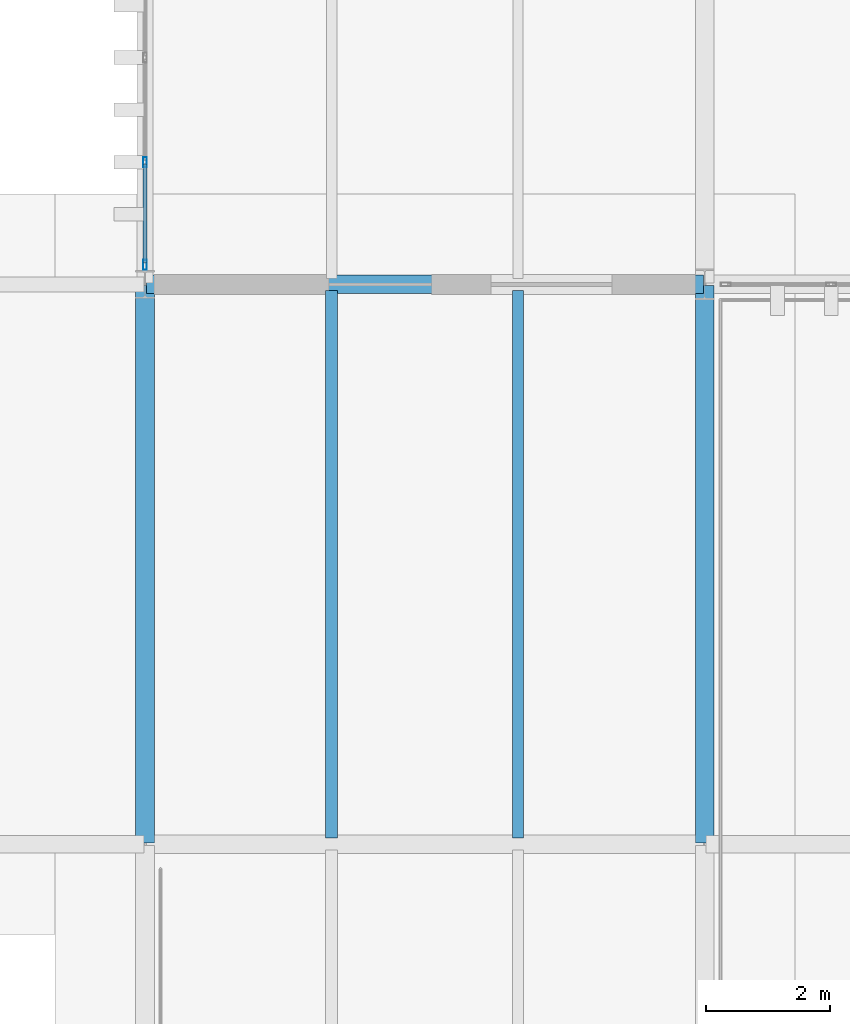
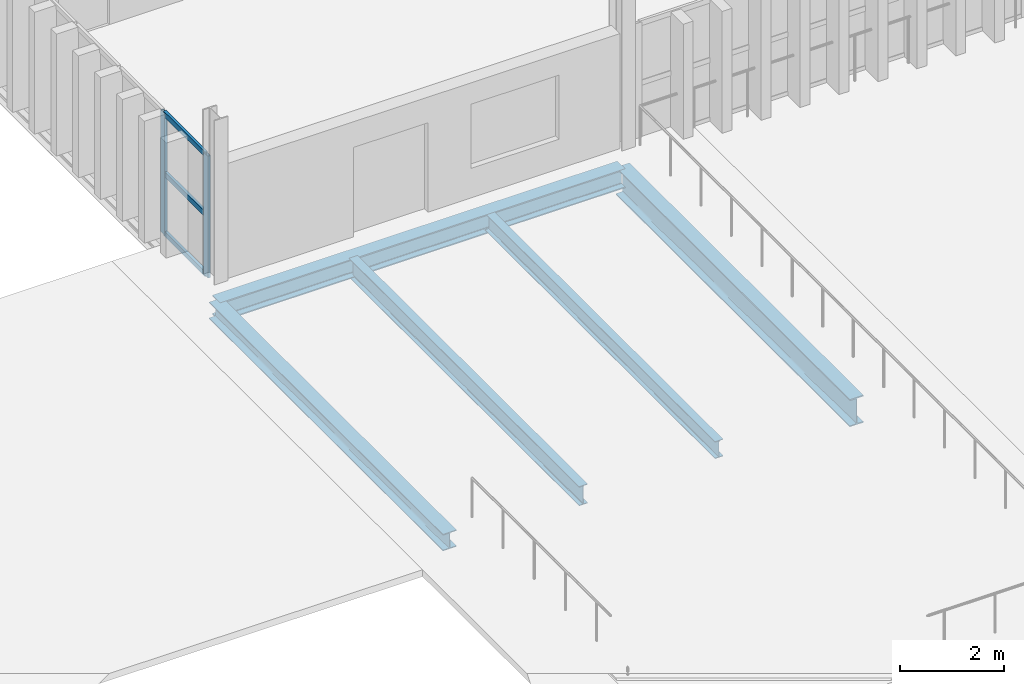
# One storey, part 35 of 102: 5 beams, 5 members, 1 element without a shape of its own.
"""IFC4 building model written with IfcOpenShell, lengths in metres."""

import ifcopenshell
import ifcopenshell.guid

model = None  # the IFC model being written
_history = None  # IfcOwnerHistory: only IFC2X3 demands one
_inside = {}  # id of a spatial element -> (the spatial element, [elements in it])
_under = {}  # id of a project, library or spatial element -> (it, [spatial elements below it])
_declared = {}  # id of a project -> (the project, [libraries it declares])
_typed = {}  # id of a type object -> (the type object, [elements of that type])
_made_of = {}  # id of a material, layer set ... -> (it, [elements and type objects made of it])


def new_model(schema):
    """Start an empty IFC model of exactly this schema.

    Asked for "IFC4X3", IfcOpenShell would pick the latest addendum, in which some entities
    have other attributes; the version numbers below select the first issue.
    IFC2X3 requires an IfcOwnerHistory on every rooted entity: one is made here for all.
    """
    global model, _history
    if schema == "IFC4X3":
        model = ifcopenshell.file(schema_version=(4, 3, 0, 0))
    else:
        model = ifcopenshell.file(schema=schema)
    _inside.clear()
    _under.clear()
    _declared.clear()
    _typed.clear()
    _made_of.clear()
    _history = None
    if model.schema == "IFC2X3":
        org = make("IfcOrganization", Name="unknown")
        user = make(
            "IfcPersonAndOrganization",
            ThePerson=make("IfcPerson", FamilyName="unknown"),
            TheOrganization=org,
        )
        app = make(
            "IfcApplication",
            ApplicationDeveloper=org,
            Version="unknown",
            ApplicationFullName="unknown",
            ApplicationIdentifier="unknown",
        )
        _history = make(
            "IfcOwnerHistory",
            OwningUser=user,
            OwningApplication=app,
            ChangeAction="ADDED",
            CreationDate=0,
        )
    return model


def make(cls, **values):
    """One entity of the class cls with the attributes given. An attribute that is None is left unset."""
    return model.create_entity(
        cls, **{name: value for name, value in values.items() if value is not None}
    )


def rooted(cls, **values):
    """An entity with a GlobalId (a new one), such as an element, a storey or a relation."""
    return make(cls, GlobalId=ifcopenshell.guid.new(), OwnerHistory=_history, **values)


def si_unit(unit_type, name, prefix=None):
    """IfcSIUnit, for example si_unit("LENGTHUNIT", "METRE", prefix="MILLI")."""
    return make("IfcSIUnit", UnitType=unit_type, Prefix=prefix, Name=name)


def assignment(units):
    """IfcUnitAssignment: the units of a project."""
    return None if units is None else make("IfcUnitAssignment", Units=units)


def point(xyz):
    """IfcCartesianPoint."""
    return None if xyz is None else make("IfcCartesianPoint", Coordinates=xyz)


def direction(xyz):
    """IfcDirection."""
    return None if xyz is None else make("IfcDirection", DirectionRatios=xyz)


def frame(location, z_axis=None, x_axis=None):
    """IfcAxis2Placement3D, a coordinate frame: its origin and axes. An axis left out is left unset."""
    return make(
        "IfcAxis2Placement3D",
        Location=point(location),
        Axis=direction(z_axis),
        RefDirection=direction(x_axis),
    )


def frame_2d(location, x_axis=None):
    """IfcAxis2Placement2D, a coordinate frame in the plane: its origin and x axis."""
    return make(
        "IfcAxis2Placement2D", Location=point(location), RefDirection=direction(x_axis)
    )


def origin():
    """The frame at (0, 0, 0) with its axes left unset."""
    return frame((0.0, 0.0, 0.0))


def origin_2d():
    """The frame at (0, 0) in the plane with its x axis left unset."""
    return frame_2d((0.0, 0.0))


def place(relative_to, where):
    """IfcLocalPlacement: puts the frame where relative to a parent placement (None: the world)."""
    return make(
        "IfcLocalPlacement", PlacementRelTo=relative_to, RelativePlacement=where
    )


def context(
    kind, dimensions, precision=None, world=None, true_north=None, identifier=None
):
    """IfcGeometricRepresentationContext, for example the 3D "Model" context."""
    return make(
        "IfcGeometricRepresentationContext",
        ContextIdentifier=identifier,
        ContextType=kind,
        CoordinateSpaceDimension=dimensions,
        Precision=precision,
        WorldCoordinateSystem=world,
        TrueNorth=true_north,
    )


def subcontext(parent, identifier, kind, view, scale=None):
    """IfcGeometricRepresentationSubContext, for example "Body" below "Model"."""
    return make(
        "IfcGeometricRepresentationSubContext",
        ContextIdentifier=identifier,
        ContextType=kind,
        ParentContext=parent,
        TargetScale=scale,
        TargetView=view,
    )


def project(units=None, contexts=None):
    """IfcProject with its units and contexts."""
    return rooted(
        "IfcProject",
        Name="project",
        RepresentationContexts=contexts,
        UnitsInContext=assignment(units),
    )


def spatial(cls, under=None, at=None, **own):
    """A site, building, storey or space (cls), placed at a placement, below another one or the project."""
    s = rooted(cls, ObjectPlacement=at, **own)
    if under is not None:
        _under.setdefault(under.id(), (under, []))[1].append(s)
    return s


def profile(cls, at=None, kind="AREA", **sizes):
    """A parametric profile (cls). Its sizes go by their IFC names, for example OverallWidth=200.0."""
    return make(cls, ProfileType=kind, Position=at, **sizes)


def hollow_rectangle(**sizes):
    """IfcRectangleHollowProfileDef."""
    return profile("IfcRectangleHollowProfileDef", **sizes)


def i_section(**sizes):
    """IfcIShapeProfileDef."""
    return profile("IfcIShapeProfileDef", **sizes)


def extrude(swept, where, along, depth):
    """IfcExtrudedAreaSolid: the profile swept, set in the frame where, extruded along a direction by depth."""
    return make(
        "IfcExtrudedAreaSolid",
        SweptArea=swept,
        Position=where,
        ExtrudedDirection=direction(along),
        Depth=depth,
    )


def shape(context_of_items, identifier, shape_type, items):
    """IfcShapeRepresentation: the items that make up one representation, for example the "Body"."""
    return make(
        "IfcShapeRepresentation",
        ContextOfItems=context_of_items,
        RepresentationIdentifier=identifier,
        RepresentationType=shape_type,
        Items=items,
    )


def material(Name=None, Category=None):
    """IfcMaterial."""
    return make("IfcMaterial", Name=Name, Category=Category)


def layer(
    of_material, thickness, ventilated=None, Name=None, Category=None, Priority=None
):
    """IfcMaterialLayer: one layer of a wall or slab, of a material (None: an air gap)."""
    return make(
        "IfcMaterialLayer",
        Material=of_material,
        LayerThickness=thickness,
        IsVentilated=ventilated,
        Name=Name,
        Category=Category,
        Priority=Priority,
    )


def layer_set(layers, Name=None):
    """IfcMaterialLayerSet."""
    return make("IfcMaterialLayerSet", MaterialLayers=layers, LayerSetName=Name)


def material_profile(
    of_material, cross_section, Name=None, Category=None, Priority=None
):
    """IfcMaterialProfile: a cross section and its material."""
    return make(
        "IfcMaterialProfile",
        Name=Name,
        Material=of_material,
        Profile=cross_section,
        Priority=Priority,
        Category=Category,
    )


def profile_set(profiles, Name=None, composite=None):
    """IfcMaterialProfileSet."""
    return make(
        "IfcMaterialProfileSet",
        Name=Name,
        MaterialProfiles=profiles,
        CompositeProfile=composite,
    )


def made_of(thing, what):
    """Note that an element or type object is made of a material, layer set ...; save() writes the relation."""
    if what is not None:
        _made_of.setdefault(what.id(), (what, []))[1].append(thing)
    return thing


def type_object(cls, material=None, **own):
    """A type object (cls), such as IfcWallType, which elements share."""
    return made_of(rooted(cls, **own), material)


def element(
    cls,
    number,
    at=None,
    inside=None,
    cuts=None,
    type_object=None,
    material=None,
    context=None,
    identifier="Body",
    shape_type=None,
    held_by="IfcProductDefinitionShape",
    body=None,
    shapes=None,
    **own,
):
    """One element of the class cls, such as IfcWall. Its Tag is "e" and its number.

    at: its placement. inside: the storey or other place that contains it. cuts: it is an
    opening in that element (IfcRelVoidsElement). A single representation is given by context,
    identifier, shape_type and body (its items); several are given by shapes. held_by: the class
    of the entity that holds the representations. save() writes the other relations.
    """
    e = rooted(cls, Tag="e%d" % number, ObjectPlacement=at, **own)
    if body is not None:
        shapes = [shape(context, identifier, shape_type, body)]
    if shapes is not None:
        e.Representation = make(held_by, Representations=shapes)
    if inside is not None:
        _inside.setdefault(inside.id(), (inside, []))[1].append(e)
    if cuts is not None:
        rooted(
            "IfcRelVoidsElement", RelatingBuildingElement=cuts, RelatedOpeningElement=e
        )
    if type_object is not None:
        _typed.setdefault(type_object.id(), (type_object, []))[1].append(e)
    return made_of(e, material)


def aggregate(whole, parts):
    """IfcRelAggregates: a whole, such as a stair, and the parts it consists of."""
    return rooted("IfcRelAggregates", RelatingObject=whole, RelatedObjects=parts)


def save(model, path):
    """Write the relations noted so far, then the file.

    IfcRelAggregates (storeys below a building ...), IfcRelContainedInSpatialStructure (elements
    in a storey), IfcRelDefinesByType, IfcRelAssociatesMaterial and IfcRelDeclares: one each for
    every whole, place, type object, material and project.
    """
    for whole, parts in _under.values():
        aggregate(whole, parts)
    for where, things in _inside.values():
        rooted(
            "IfcRelContainedInSpatialStructure",
            RelatedElements=things,
            RelatingStructure=where,
        )
    for kind, things in _typed.values():
        rooted("IfcRelDefinesByType", RelatedObjects=things, RelatingType=kind)
    for what, things in _made_of.values():
        rooted("IfcRelAssociatesMaterial", RelatedObjects=things, RelatingMaterial=what)
    for by, libraries in _declared.values():
        rooted("IfcRelDeclares", RelatingContext=by, RelatedDefinitions=libraries)
    model.write(path)


model = new_model("IFC4")

# Units and contexts
model_context = context("Model", 3, precision=1e-05, world=origin(), true_north=direction((0.0, 1.0)))
body_context = subcontext(model_context, "Body", "Model", "MODEL_VIEW")
ifc_project = project(units=[si_unit("LENGTHUNIT", "METRE"), si_unit("AREAUNIT", "SQUARE_METRE"), si_unit("VOLUMEUNIT", "CUBIC_METRE"), si_unit("PLANEANGLEUNIT", "RADIAN"), si_unit("MASSUNIT", "GRAM", prefix="KILO")], contexts=[model_context])

# Site, building, storey
site_placement = place(None, origin())
site = spatial("IfcSite", under=ifc_project, at=site_placement, CompositionType="ELEMENT")
building_placement = place(site_placement, origin())
building = spatial("IfcBuilding", under=site, at=building_placement, Name="Barlavento Convention Centre", CompositionType="ELEMENT")
storey_placement = place(building_placement, frame((0.0, 0.0, 22.800048828125)))
storey = spatial("IfcBuildingStorey", under=building, at=storey_placement, Name="L04", CompositionType="ELEMENT", Elevation=22.800048828125)

# Curtain wall, members
ifc_material_1 = material(Name="Powder-coated aluminium and Low-E glass", Category="aluminium")
ifc_layer = layer(ifc_material_1, 0.18505859375)
ifc_layer_set = layer_set([ifc_layer], Name="ARC-CW-CONF-L04")
curtain_wall_type = type_object("IfcCurtainWallType", Name="ARC-CW-CONF-L04", PredefinedType="NOTDEFINED", material=ifc_layer_set)
curtain_wall_placement = place(storey_placement, origin())
curtain_wall = element("IfcCurtainWall", 1, at=curtain_wall_placement, inside=storey, type_object=curtain_wall_type, Name="L04 unitised curtain wall CW09", PredefinedType="NOTDEFINED")
ifc_material_2 = material(Name="Powder-coated aluminium", Category="aluminium")
ifc_material_profile_1 = material_profile(ifc_material_2, hollow_rectangle(XDim=0.06005859375, YDim=0.159912109375, WallThickness=0.00390625, at=origin_2d()), Name="AL-MULL 60x160x4")
ifc_profile_set_1 = profile_set([ifc_material_profile_1], Name="Powder-coated aluminium")
member_type_1 = type_object("IfcMemberType", Name="ARC-CWM-60X160", PredefinedType="MULLION", material=ifc_profile_set_1)
member_1_placement = place(storey_placement, frame((126.0, 54.31494140625, 0.0), z_axis=(0.0, 0.0, 1.0), x_axis=(-1.0, 0.0, 0.0)))
member_1 = element("IfcMember", 2, at=member_1_placement, type_object=member_type_1, Name="CW09 mullion 1", PredefinedType="MULLION", context=body_context, shape_type="SweptSolid", body=[
    extrude(hollow_rectangle(XDim=0.06005859375, YDim=0.159912109375, WallThickness=0.00390625, at=origin_2d()), origin(), (0.0, 0.0, 1.0), 2.849853515625),
])
member_2_placement = place(storey_placement, frame((126.0, 55.966064453125, 0.0), z_axis=(0.0, 0.0, 1.0), x_axis=(-1.0, 0.0, 0.0)))
member_2 = element("IfcMember", 3, at=member_2_placement, type_object=member_type_1, Name="CW09 mullion 2", PredefinedType="MULLION", context=body_context, shape_type="SweptSolid", body=[
    extrude(hollow_rectangle(XDim=0.06005859375, YDim=0.159912109375, WallThickness=0.00390625, at=origin_2d()), origin(), (0.0, 0.0, 1.0), 2.849853515625),
])
ifc_material_profile_2 = material_profile(ifc_material_2, hollow_rectangle(XDim=0.06005859375, YDim=0.1201171875, WallThickness=0.00390625, at=origin_2d()), Name="AL-TRAN 60x120x4")
ifc_profile_set_2 = profile_set([ifc_material_profile_2], Name="Powder-coated aluminium")
member_type_2 = type_object("IfcMemberType", Name="ARC-CWT-60X120", PredefinedType="USERDEFINED", material=ifc_profile_set_2)
member_3_placement = place(storey_placement, frame((126.0, 54.344970703125, 0.030029296875), z_axis=(0.0, 1.0, 0.0), x_axis=(-1.0, 0.0, 0.0)))
member_3 = element("IfcMember", 4, at=member_3_placement, type_object=member_type_2, Name="CW09 transom 1.1", ObjectType="TRANSOM", PredefinedType="USERDEFINED", context=body_context, shape_type="SweptSolid", body=[
    extrude(hollow_rectangle(XDim=0.06005859375, YDim=0.1201171875, WallThickness=0.00390625, at=origin_2d()), origin(), (0.0, 0.0, 1.0), 1.591064453125),
])
member_4_placement = place(storey_placement, frame((126.0, 54.344970703125, 1.425048828125), z_axis=(0.0, 1.0, 0.0), x_axis=(-1.0, 0.0, 0.0)))
member_4 = element("IfcMember", 5, at=member_4_placement, type_object=member_type_2, Name="CW09 transom 1.2", ObjectType="TRANSOM", PredefinedType="USERDEFINED", context=body_context, shape_type="SweptSolid", body=[
    extrude(hollow_rectangle(XDim=0.06005859375, YDim=0.1201171875, WallThickness=0.00390625, at=origin_2d()), origin(), (0.0, 0.0, 1.0), 1.591064453125),
])
member_5_placement = place(storey_placement, frame((126.0, 54.344970703125, 2.820068359375), z_axis=(0.0, 1.0, 0.0), x_axis=(-1.0, 0.0, 0.0)))
member_5 = element("IfcMember", 6, at=member_5_placement, type_object=member_type_2, Name="CW09 transom 1.3", ObjectType="TRANSOM", PredefinedType="USERDEFINED", context=body_context, shape_type="SweptSolid", body=[
    extrude(hollow_rectangle(XDim=0.06005859375, YDim=0.1201171875, WallThickness=0.00390625, at=origin_2d()), origin(), (0.0, 0.0, 1.0), 1.591064453125),
])
aggregate(curtain_wall, [member_1, member_2, member_3, member_4, member_5])

# Beams
ifc_material_3 = material(Name="Steel S355", Category="steel")
ifc_material_profile_3 = material_profile(ifc_material_3, i_section(OverallWidth=0.179931640625, OverallDepth=0.39990234375, WebThickness=0.008544921875, FlangeThickness=0.013427734375, FilletRadius=0.02099609375, at=origin_2d()), Name="IPE 400")
ifc_profile_set_3 = profile_set([ifc_material_profile_3], Name="Steel S355")
beam_type_1 = type_object("IfcBeamType", Name="STR-BM-JST-IPE400", PredefinedType="JOIST", material=ifc_profile_set_3)
beam_1_placement = place(storey_placement, frame((132.0, 45.094970703125, -0.56005859375), z_axis=(0.0, 1.0, 0.0), x_axis=(-1.0, 0.0, 0.0)))
element("IfcBeam", 7, at=beam_1_placement, inside=storey, type_object=beam_type_1, Name="L04 composite floor joist SJ04", PredefinedType="JOIST", context=body_context, shape_type="SweptSolid", body=[
    extrude(i_section(OverallWidth=0.179931640625, OverallDepth=0.39990234375, WebThickness=0.008544921875, FlangeThickness=0.013427734375, FilletRadius=0.02099609375, at=origin_2d()), origin(), (0.0, 0.0, 1.0), 8.81005859375),
])
ifc_material_profile_4 = material_profile(ifc_material_3, i_section(OverallWidth=0.18994140625, OverallDepth=0.449951171875, WebThickness=0.009521484375, FlangeThickness=0.0146484375, FilletRadius=0.02099609375, at=origin_2d()), Name="IPE 450")
ifc_profile_set_4 = profile_set([ifc_material_profile_4], Name="Steel S355")
beam_type_2 = type_object("IfcBeamType", Name="STR-BM-JST-IPE450", PredefinedType="JOIST", material=ifc_profile_set_4)
beam_2_placement = place(storey_placement, frame((129.0, 45.094970703125, -0.5849609375), z_axis=(0.0, 1.0, 0.0), x_axis=(-1.0, 0.0, 0.0)))
element("IfcBeam", 8, at=beam_2_placement, inside=storey, type_object=beam_type_2, Name="L04 composite floor joist SJ03", PredefinedType="JOIST", context=body_context, shape_type="SweptSolid", body=[
    extrude(i_section(OverallWidth=0.18994140625, OverallDepth=0.449951171875, WebThickness=0.009521484375, FlangeThickness=0.0146484375, FilletRadius=0.02099609375, at=origin_2d()), origin(), (0.0, 0.0, 1.0), 8.81005859375),
])
ifc_material_profile_5 = material_profile(ifc_material_3, i_section(OverallWidth=0.300048828125, OverallDepth=0.389892578125, WebThickness=0.010986328125, FlangeThickness=0.01904296875, FilletRadius=0.027099609375, at=origin_2d()), Name="HEA 400")
ifc_profile_set_5 = profile_set([ifc_material_profile_5], Name="Steel S355")
beam_type_3 = type_object("IfcBeamType", Name="STR-BM-PRI-HEA400", PredefinedType="BEAM", material=ifc_profile_set_5)
beam_3_placement = place(storey_placement, frame((126.0, 45.02001953125, -0.554931640625), z_axis=(0.0, 1.0, 0.0), x_axis=(-1.0, 0.0, 0.0)))
element("IfcBeam", 9, at=beam_3_placement, inside=storey, type_object=beam_type_3, Name="L04 grid girder BG22", PredefinedType="BEAM", context=body_context, shape_type="SweptSolid", body=[
    extrude(i_section(OverallWidth=0.300048828125, OverallDepth=0.389892578125, WebThickness=0.010986328125, FlangeThickness=0.01904296875, FilletRadius=0.027099609375, at=origin_2d()), origin(), (0.0, 0.0, 1.0), 8.9599609375),
])
ifc_material_profile_6 = material_profile(ifc_material_3, i_section(OverallWidth=0.300048828125, OverallDepth=0.639892578125, WebThickness=0.013427734375, FlangeThickness=0.02587890625, FilletRadius=0.027099609375, at=origin_2d()), Name="HEA 650")
ifc_profile_set_6 = profile_set([ifc_material_profile_6], Name="Steel S355")
beam_type_4 = type_object("IfcBeamType", Name="STR-BM-PRI-HEA650", PredefinedType="BEAM", material=ifc_profile_set_6)
beam_4_placement = place(storey_placement, frame((135.0, 45.02001953125, -0.679931640625), z_axis=(0.0, 1.0, 0.0), x_axis=(-1.0, 0.0, 0.0)))
element("IfcBeam", 10, at=beam_4_placement, inside=storey, type_object=beam_type_4, Name="L04 grid girder BG17", PredefinedType="BEAM", context=body_context, shape_type="SweptSolid", body=[
    extrude(i_section(OverallWidth=0.300048828125, OverallDepth=0.639892578125, WebThickness=0.013427734375, FlangeThickness=0.02587890625, FilletRadius=0.027099609375, at=origin_2d()), origin(), (0.0, 0.0, 1.0), 8.9599609375),
])
ifc_material_profile_7 = material_profile(ifc_material_3, i_section(OverallWidth=0.300048828125, OverallDepth=0.449951171875, WebThickness=0.013916015625, FlangeThickness=0.02587890625, FilletRadius=0.027099609375, at=origin_2d()), Name="HEB 450")
ifc_profile_set_7 = profile_set([ifc_material_profile_7], Name="Steel S355")
beam_type_5 = type_object("IfcBeamType", Name="STR-BM-PRI-HEB450", PredefinedType="BEAM", material=ifc_profile_set_7)
beam_5_placement = place(storey_placement, frame((126.02001953125, 54.0, -0.5849609375), z_axis=(1.0, 0.0, 0.0), x_axis=(0.0, 1.0, 0.0)))
element("IfcBeam", 11, at=beam_5_placement, inside=storey, type_object=beam_type_5, Name="L04 primary girder BG10", PredefinedType="BEAM", context=body_context, shape_type="SweptSolid", body=[
    extrude(i_section(OverallWidth=0.300048828125, OverallDepth=0.449951171875, WebThickness=0.013916015625, FlangeThickness=0.02587890625, FilletRadius=0.027099609375, at=origin_2d()), origin(), (0.0, 0.0, 1.0), 8.9599609375),
])

save(model, "model.ifc")
